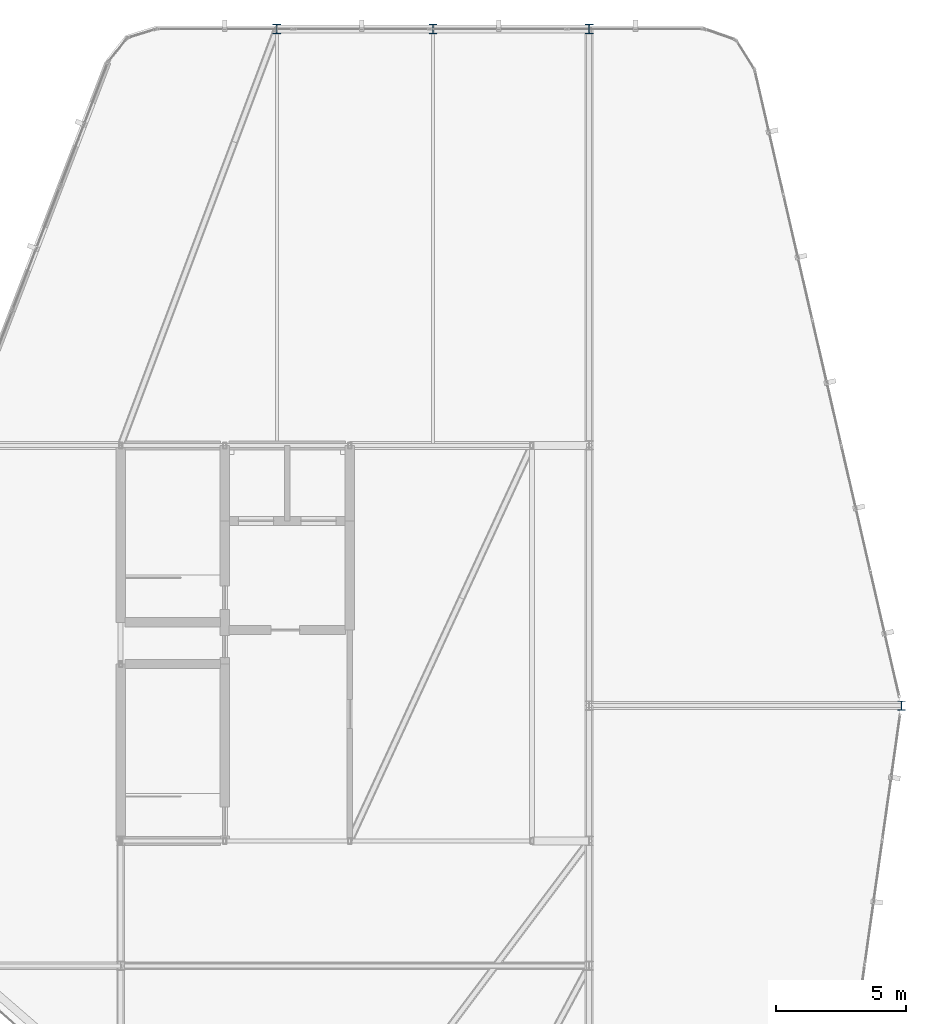
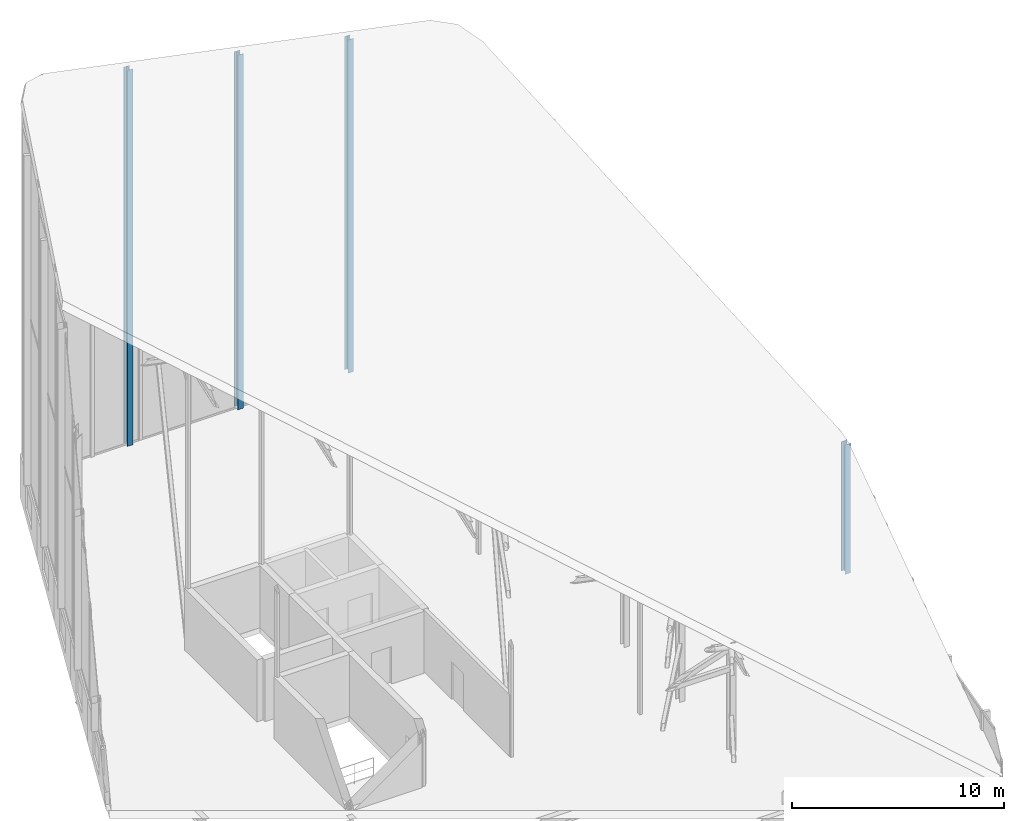
# One storey, part 2 of 74: 4 columns.
"""IFC4 building model written with IfcOpenShell, lengths in metres."""

from ifc_helpers import new_model, si_unit, direction, frame, origin, origin_2d, place, context, subcontext, project, spatial, i_section, extrude, material, material_profile, profile_set, type_object, element, save


model = new_model("IFC4")

# Units and contexts
model_context = context("Model", 3, precision=1e-05, world=origin(), true_north=direction((0.0, 1.0)))
body_context = subcontext(model_context, "Body", "Model", "MODEL_VIEW")
ifc_project = project(units=[si_unit("LENGTHUNIT", "METRE"), si_unit("AREAUNIT", "SQUARE_METRE"), si_unit("VOLUMEUNIT", "CUBIC_METRE"), si_unit("PLANEANGLEUNIT", "RADIAN"), si_unit("MASSUNIT", "GRAM", prefix="KILO")], contexts=[model_context])

# Site, building, storey
site_placement = place(None, origin())
site = spatial("IfcSite", under=ifc_project, at=site_placement, CompositionType="ELEMENT")
building_placement = place(site_placement, origin())
building = spatial("IfcBuilding", under=site, at=building_placement, Name="Keshet Zoharim Tower", CompositionType="ELEMENT")
storey_placement = place(building_placement, frame((0.0, 0.0, 320.0)))
storey = spatial("IfcBuildingStorey", under=building, at=storey_placement, Name="RF", CompositionType="ELEMENT", Elevation=320.0)

# Columns
ifc_material = material(Name="Steel S355", Category="steel")
ifc_material_profile = material_profile(ifc_material, i_section(OverallWidth=0.300048828125, OverallDepth=0.35009765625, WebThickness=0.010009765625, FlangeThickness=0.017578125, FilletRadius=0.027099609375, at=origin_2d()), Name="HEA360")
ifc_profile_set = profile_set([ifc_material_profile], Name="Steel S355")
column_type = type_object("IfcColumnType", Name="COL-HEA360", PredefinedType="COLUMN", material=ifc_profile_set)
column_1_placement = place(storey_placement, frame((21.0, 53.89990234375, 0.0), z_axis=(0.0, 0.0, 1.0), x_axis=(1.0, 0.0, 0.0)))
element("IfcColumn", 1, at=column_1_placement, inside=storey, type_object=column_type, Name="RF Column 4L", PredefinedType="COLUMN", context=body_context, shape_type="SweptSolid", body=[
    extrude(i_section(OverallWidth=0.300048828125, OverallDepth=0.35009765625, WebThickness=0.010009765625, FlangeThickness=0.017578125, FilletRadius=0.027099609375, at=origin_2d()), origin(), (0.0, 0.0, 1.0), 21.606201171875),
])
column_2_placement = place(storey_placement, frame((27.0, 53.89990234375, 0.0), z_axis=(0.0, 0.0, 1.0), x_axis=(1.0, 0.0, 0.0)))
element("IfcColumn", 2, at=column_2_placement, inside=storey, type_object=column_type, Name="RF Column 5L", PredefinedType="COLUMN", context=body_context, shape_type="SweptSolid", body=[
    extrude(i_section(OverallWidth=0.300048828125, OverallDepth=0.35009765625, WebThickness=0.010009765625, FlangeThickness=0.017578125, FilletRadius=0.027099609375, at=origin_2d()), origin(), (0.0, 0.0, 1.0), 20.382568359375),
])
column_3_placement = place(storey_placement, frame((33.0, 53.89990234375, 0.0), z_axis=(0.0, 0.0, 1.0), x_axis=(1.0, 0.0, 0.0)))
element("IfcColumn", 3, at=column_3_placement, inside=storey, type_object=column_type, Name="RF Column 6L", PredefinedType="COLUMN", context=body_context, shape_type="SweptSolid", body=[
    extrude(i_section(OverallWidth=0.300048828125, OverallDepth=0.35009765625, WebThickness=0.010009765625, FlangeThickness=0.017578125, FilletRadius=0.027099609375, at=origin_2d()), origin(), (0.0, 0.0, 1.0), 19.15869140625),
])
column_4_placement = place(storey_placement, frame((45.0, 27.89990234375, 0.0), z_axis=(0.0, 0.0, 1.0), x_axis=(1.0, 0.0, 0.0)))
element("IfcColumn", 4, at=column_4_placement, inside=storey, type_object=column_type, Name="RF Column 8F", PredefinedType="COLUMN", context=body_context, shape_type="SweptSolid", body=[
    extrude(i_section(OverallWidth=0.300048828125, OverallDepth=0.35009765625, WebThickness=0.010009765625, FlangeThickness=0.017578125, FilletRadius=0.027099609375, at=origin_2d()), origin(), (0.0, 0.0, 1.0), 7.44091796875),
])

save(model, "model.ifc")
